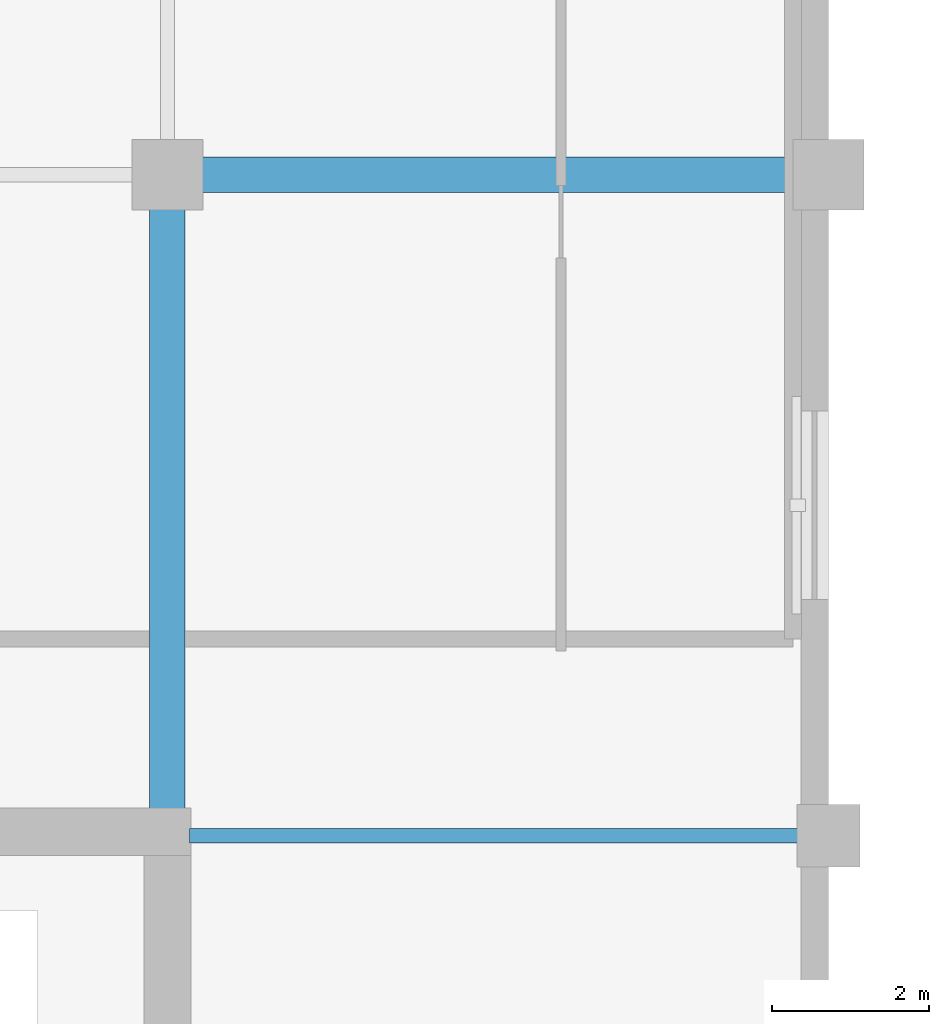
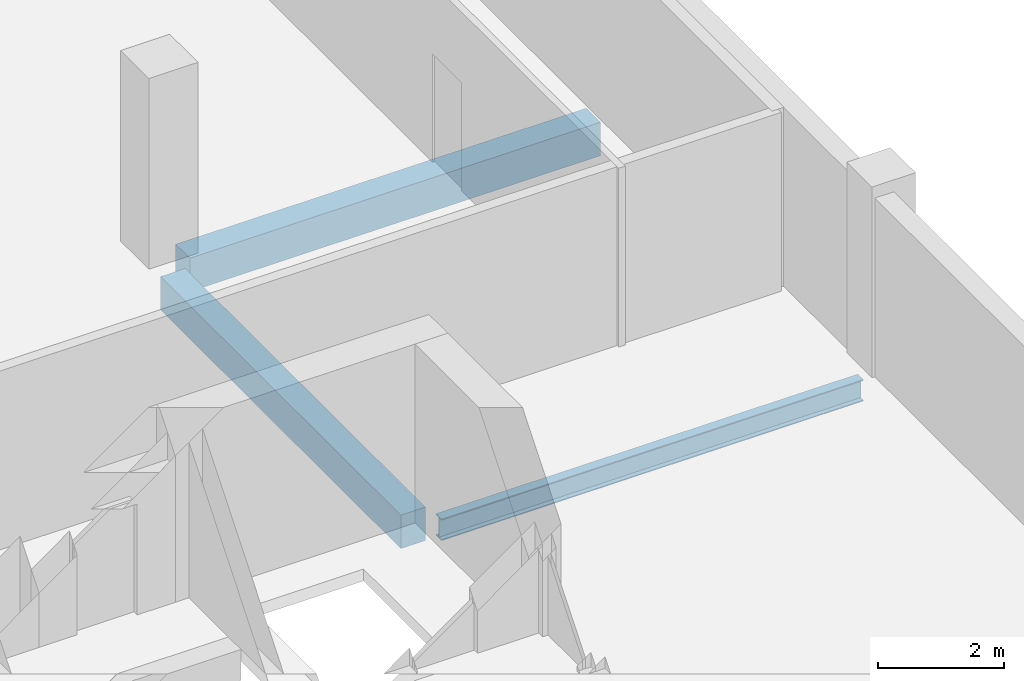
# One storey, part 2 of 16: 3 beams.
"""IFC4 building model written with IfcOpenShell, lengths in metres."""

from ifc_helpers import new_model, si_unit, direction, frame, origin, origin_2d, place, context, subcontext, project, spatial, rectangle, i_section, extrude, material, material_profile, profile_set, type_object, element, save


model = new_model("IFC4")

# Units and contexts
model_context = context("Model", 3, precision=1e-05, world=origin(), true_north=direction((0.0, 1.0)))
body_context = subcontext(model_context, "Body", "Model", "MODEL_VIEW")
ifc_project = project(units=[si_unit("LENGTHUNIT", "METRE"), si_unit("AREAUNIT", "SQUARE_METRE"), si_unit("VOLUMEUNIT", "CUBIC_METRE"), si_unit("PLANEANGLEUNIT", "RADIAN"), si_unit("MASSUNIT", "GRAM", prefix="KILO")], contexts=[model_context])

# Site, building, storey
site_placement = place(None, origin())
site = spatial("IfcSite", under=ifc_project, at=site_placement, CompositionType="ELEMENT")
building_placement = place(site_placement, origin())
building = spatial("IfcBuilding", under=site, at=building_placement, Name="Koriwani Terraces Tower", CompositionType="ELEMENT")
storey_placement = place(building_placement, frame((0.0, 0.0, 274.89990234375)))
storey = spatial("IfcBuildingStorey", under=building, at=storey_placement, Name="L68", CompositionType="ELEMENT", Elevation=274.89990234375)

# Beams
ifc_material_1 = material(Name="Concrete C50/60", Category="concrete")
ifc_material_profile_1 = material_profile(ifc_material_1, rectangle(XDim=0.449951171875, YDim=0.64990234375, at=origin_2d()), Name="Concrete C50/60", Category="LoadBearing")
ifc_profile_set_1 = profile_set([ifc_material_profile_1], Name="Concrete C50/60")
beam_type_1 = type_object("IfcBeamType", Name="BEAM_RC_GRID_450X650", PredefinedType="BEAM", material=ifc_profile_set_1)
beam_1_placement = place(storey_placement, frame((25.6298828125, 67.199951171875, -0.554931640625), z_axis=(1.0, 0.0, 0.0), x_axis=(0.0, 1.0, 0.0)))
element("IfcBeam", 1, at=beam_1_placement, inside=storey, type_object=beam_type_1, Name="L68 Grid Beam I (25.2-33.6m)", PredefinedType="BEAM", context=body_context, shape_type="SweptSolid", body=[
    extrude(rectangle(XDim=0.449951171875, YDim=0.64990234375, at=origin_2d()), origin(), (0.0, 0.0, 1.0), 7.5400390625),
])
beam_2_placement = place(storey_placement, frame((25.199951171875, 59.1298828125, -0.554931640625), z_axis=(0.0, 1.0, 0.0), x_axis=(-1.0, 0.0, 0.0)))
element("IfcBeam", 2, at=beam_2_placement, inside=storey, type_object=beam_type_1, Name="L68 Grid Beam 4 (58.8-67.2m)", PredefinedType="BEAM", context=body_context, shape_type="SweptSolid", body=[
    extrude(rectangle(XDim=0.449951171875, YDim=0.64990234375, at=origin_2d()), origin(), (0.0, 0.0, 1.0), 7.64013671875),
])
ifc_material_2 = material(Name="Steel ASTM A572 Grade 50", Category="steel")
ifc_material_profile_2 = material_profile(ifc_material_2, i_section(OverallWidth=0.180908203125, OverallDepth=0.4169921875, WebThickness=0.010986328125, FlangeThickness=0.018310546875, at=origin_2d()), Name="Steel ASTM A572 Grade 50", Category="LoadBearing")
ifc_profile_set_2 = profile_set([ifc_material_profile_2], Name="Steel ASTM A572 Grade 50")
beam_type_2 = type_object("IfcBeamType", Name="STEEL_BEAM_W410X85", PredefinedType="JOIST", material=ifc_profile_set_2)
beam_3_placement = place(storey_placement, frame((25.47998046875, 58.800048828125, -0.4384765625), z_axis=(1.0, 0.0, 0.0), x_axis=(0.0, 1.0, 0.0)))
element("IfcBeam", 3, at=beam_3_placement, inside=storey, type_object=beam_type_2, Name="L68 Grid Beam H (25.2-33.6m)", PredefinedType="JOIST", context=body_context, shape_type="SweptSolid", body=[
    extrude(i_section(OverallWidth=0.180908203125, OverallDepth=0.4169921875, WebThickness=0.010986328125, FlangeThickness=0.018310546875, at=origin_2d()), origin(), (0.0, 0.0, 1.0), 7.739990234375),
])

save(model, "model.ifc")
